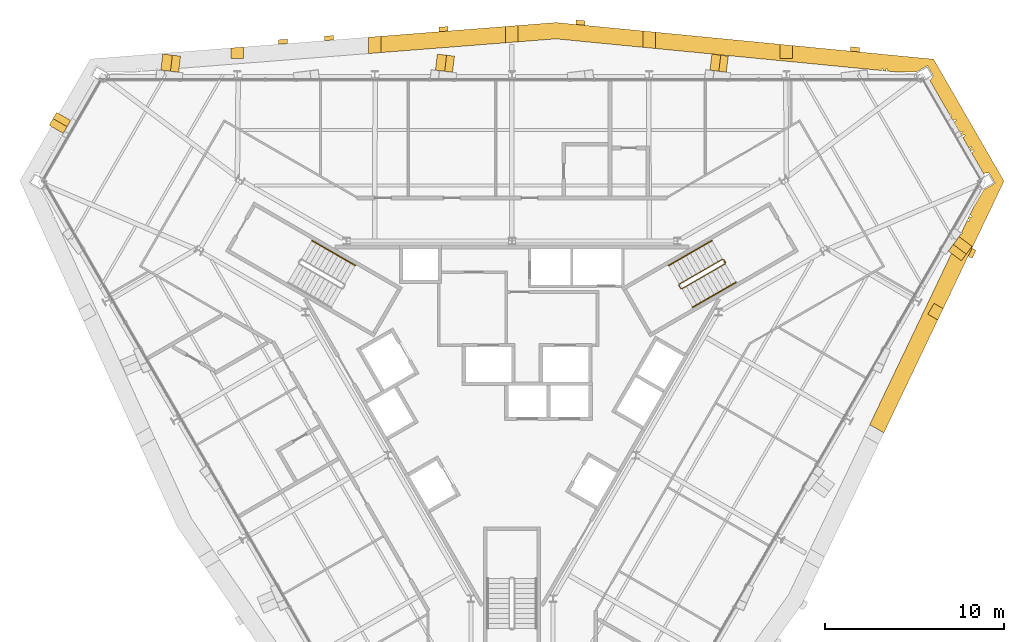
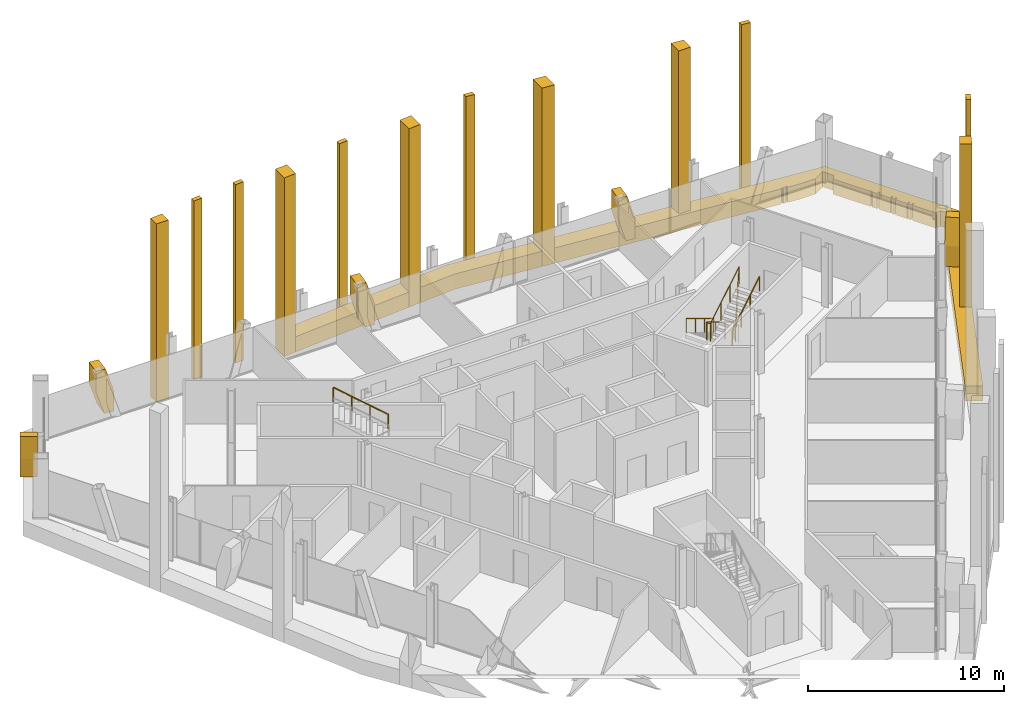
# One storey, part 13 of 13: 20 coverings, 4 railings.
"""IFC4 building model written with IfcOpenShell, lengths in metres."""

from ifc_helpers import new_model, si_unit, direction, frame, origin, origin_2d, place, context, subcontext, project, spatial, polyline, circle, outline, extrude, material, layer, layer_set, type_object, element, save


model = new_model("IFC4")

# Units and contexts
model_context = context("Model", 3, precision=1e-05, world=origin(), true_north=direction((0.0, 1.0)))
body_context = subcontext(model_context, "Body", "Model", "MODEL_VIEW")
ifc_project = project(units=[si_unit("LENGTHUNIT", "METRE"), si_unit("AREAUNIT", "SQUARE_METRE"), si_unit("VOLUMEUNIT", "CUBIC_METRE"), si_unit("PLANEANGLEUNIT", "RADIAN"), si_unit("MASSUNIT", "GRAM", prefix="KILO")], contexts=[model_context])

# Site, building, storey
site_placement = place(None, origin())
site = spatial("IfcSite", under=ifc_project, at=site_placement, CompositionType="ELEMENT")
building_placement = place(site_placement, origin())
building = spatial("IfcBuilding", under=site, at=building_placement, Name="Verrane Prism Tower", CompositionType="ELEMENT")
storey_placement = place(building_placement, frame((0.0, 0.0, 159.89990234375)))
storey = spatial("IfcBuildingStorey", under=building, at=storey_placement, Name="L39", CompositionType="ELEMENT", Elevation=159.89990234375)

# Railings
ifc_material_1 = material(Name="Steel A36 rail and posts, no infill", Category="steel")
railing_type_1 = type_object("IfcRailingType", Name="Stair guard 1100 steel rail and posts", PredefinedType="GUARDRAIL", material=ifc_material_1)
railing_1_placement = place(storey_placement, frame((11.78955078125, 6.97998046875, 0.168212890625)))
element("IfcRailing", 1, at=railing_1_placement, inside=storey, type_object=railing_type_1, Name="Stair 1 guard", PredefinedType="GUARDRAIL", context=body_context, shape_type="SweptSolid", body=[
    extrude(circle(Radius=0.02392578125, at=origin_2d()), frame((0.0, 0.0, 1.076171875), z_axis=(-0.742366697286, -0.42866220388, 0.514917859203), x_axis=(0.500049511043, -0.865996816683, 0.0)), (0.0, 0.0, 1.0), 3.266357421875),
    extrude(circle(Radius=0.02392578125, at=origin_2d()), frame((-2.4248046875, -1.400146484375, 2.7578125), z_axis=(-0.259601060869, -0.965715946433, 0.0), x_axis=(0.965715946433, -0.259601060869, 0.0)), (0.0, 0.0, 1.0), 0.070556640625),
    extrude(circle(Radius=0.02392578125, at=origin_2d()), frame((-2.443115234375, -1.46826171875, 2.7578125), z_axis=(0.499158860599, -0.866510491504, 0.0), x_axis=(0.866510491504, 0.499158860599, 0.0)), (0.0, 0.0, 1.0), 0.199951171875),
    extrude(circle(Radius=0.02392578125, at=origin_2d()), frame((-2.34326171875, -1.6416015625, 2.7578125), z_axis=(0.374585375571, -0.100335368456, 0.921747584887), x_axis=(0.258736085224, 0.965948051503, 0.0)), (0.0, 0.0, 1.0), 0.182373046875),
    extrude(circle(Radius=0.02392578125, at=origin_2d()), frame((-2.27490234375, -1.659912109375, 2.92626953125), z_axis=(0.742366697286, 0.42866220388, 0.514917859203), x_axis=(-0.500049511043, 0.865996816683, 0.0)), (0.0, 0.0, 1.0), 3.266357421875),
    extrude(circle(Radius=0.02392578125, at=origin_2d()), frame((0.14990234375, -0.259765625, 4.60791015625), z_axis=(-0.021985391189, 0.065100454749, -0.997636493602), x_axis=(-0.947430582667, -0.3199613899, 0.0)), (0.0, 0.0, 1.0), 3.708984375),
    extrude(circle(Radius=0.02392578125, at=origin_2d()), frame((0.068359375, -0.018310546875, 0.90771484375), z_axis=(0.499158860599, -0.866510491504, 0.0), x_axis=(0.866510491504, 0.499158860599, 0.0)), (0.0, 0.0, 1.0), 0.199951171875),
    extrude(circle(Radius=0.02099609375, at=origin_2d()), origin(), (0.0, 0.0, 1.0), 1.052001953125),
    extrude(circle(Radius=0.02099609375, at=origin_2d()), frame((-0.808349609375, -0.466796875, 0.560546875)), (0.0, 0.0, 1.0), 1.052001953125),
    extrude(circle(Radius=0.02099609375, at=origin_2d()), frame((-1.616455078125, -0.933349609375, 1.121337890625)), (0.0, 0.0, 1.0), 1.052001953125),
    extrude(circle(Radius=0.02099609375, at=origin_2d()), frame((-2.4248046875, -1.400146484375, 1.681884765625)), (0.0, 0.0, 1.0), 1.052001953125),
    extrude(circle(Radius=0.02099609375, at=origin_2d()), frame((-2.443115234375, -1.46826171875, 1.681884765625)), (0.0, 0.0, 1.0), 1.052001953125),
    extrude(circle(Radius=0.02099609375, at=origin_2d()), frame((-2.34326171875, -1.6416015625, 1.681884765625)), (0.0, 0.0, 1.0), 1.052001953125),
    extrude(circle(Radius=0.02099609375, at=origin_2d()), frame((-2.27490234375, -1.659912109375, 1.85009765625)), (0.0, 0.0, 1.0), 1.052001953125),
    extrude(circle(Radius=0.02099609375, at=origin_2d()), frame((-1.466552734375, -1.193115234375, 2.41064453125)), (0.0, 0.0, 1.0), 1.052001953125),
    extrude(circle(Radius=0.02099609375, at=origin_2d()), frame((-0.658447265625, -0.7265625, 2.971435546875)), (0.0, 0.0, 1.0), 1.052001953125),
    extrude(circle(Radius=0.02099609375, at=origin_2d()), frame((0.14990234375, -0.259765625, 3.531982421875)), (0.0, 0.0, 1.0), 1.052001953125),
    extrude(circle(Radius=0.02099609375, at=origin_2d()), frame((0.12939453125, -0.199462890625, 2.60693359375)), (0.0, 0.0, 1.0), 1.052001953125),
    extrude(circle(Radius=0.02099609375, at=origin_2d()), frame((0.109130859375, -0.13916015625, 1.681884765625)), (0.0, 0.0, 1.0), 1.052001953125),
    extrude(circle(Radius=0.02099609375, at=origin_2d()), frame((0.0888671875, -0.07861328125, 0.7568359375)), (0.0, 0.0, 1.0), 1.052001953125),
    extrude(circle(Radius=0.02099609375, at=origin_2d()), frame((0.068359375, -0.018310546875, -0.168212890625)), (0.0, 0.0, 1.0), 1.052001953125),
    extrude(circle(Radius=0.02099609375, at=origin_2d()), frame((0.168212890625, -0.191650390625, -0.168212890625)), (0.0, 0.0, 1.0), 1.052001953125),
])
ifc_material_2 = material(Name="Steel A36 tube", Category="steel")
railing_type_2 = type_object("IfcRailingType", Name="Stair handrail 900 steel tube", PredefinedType="HANDRAIL", material=ifc_material_2)
railing_2_placement = place(storey_placement, frame((11.189453125, 8.01904296875, 0.168212890625)))
element("IfcRailing", 2, at=railing_2_placement, inside=storey, type_object=railing_type_2, Name="Stair 1 handrail", PredefinedType="HANDRAIL", context=body_context, shape_type="SweptSolid", body=[
    extrude(circle(Radius=0.02392578125, at=origin_2d()), frame((0.0, 0.0, 0.8759765625), z_axis=(-0.742390482028, -0.42860119049, 0.514934356695), x_axis=(0.49998411664, -0.866034573852, 0.0)), (0.0, 0.0, 1.0), 3.26611328125),
    extrude(circle(Radius=0.02099609375, at=origin_2d()), origin(), (0.0, 0.0, 1.0), 0.851806640625),
    extrude(circle(Radius=0.02099609375, at=origin_2d()), frame((-0.808349609375, -0.466552734375, 0.560546875)), (0.0, 0.0, 1.0), 0.851806640625),
    extrude(circle(Radius=0.02099609375, at=origin_2d()), frame((-1.616455078125, -0.933349609375, 1.121337890625)), (0.0, 0.0, 1.0), 0.851806640625),
    extrude(circle(Radius=0.02099609375, at=origin_2d()), frame((-2.4248046875, -1.39990234375, 1.681884765625)), (0.0, 0.0, 1.0), 0.851806640625),
])
railing_3_placement = place(storey_placement, frame((10.11474609375, 4.28076171875, 2.018310546875)))
element("IfcRailing", 3, at=railing_3_placement, inside=storey, type_object=railing_type_2, Name="Stair 1 handrail", PredefinedType="HANDRAIL", context=body_context, shape_type="SweptSolid", body=[
    extrude(circle(Radius=0.02392578125, at=origin_2d()), frame((0.0, 0.0, 0.8759765625), z_axis=(0.742366697286, 0.42866220388, 0.514917859203), x_axis=(-0.500049511043, 0.865996816683, 0.0)), (0.0, 0.0, 1.0), 3.266357421875),
    extrude(circle(Radius=0.02099609375, at=origin_2d()), origin(), (0.0, 0.0, 1.0), 0.851806640625),
    extrude(circle(Radius=0.02099609375, at=origin_2d()), frame((0.808349609375, 0.466796875, 0.560546875)), (0.0, 0.0, 1.0), 0.851806640625),
    extrude(circle(Radius=0.02099609375, at=origin_2d()), frame((1.616455078125, 0.933349609375, 1.121337890625)), (0.0, 0.0, 1.0), 0.851806640625),
    extrude(circle(Radius=0.02099609375, at=origin_2d()), frame((2.4248046875, 1.400146484375, 1.681884765625)), (0.0, 0.0, 1.0), 0.851806640625),
])
railing_4_placement = place(storey_placement, frame((-8.7646484375, 6.619140625, 2.018310546875)))
element("IfcRailing", 4, at=railing_4_placement, inside=storey, type_object=railing_type_2, Name="Stair 2 handrail", PredefinedType="HANDRAIL", context=body_context, shape_type="SweptSolid", body=[
    extrude(circle(Radius=0.02392578125, at=origin_2d()), frame((0.0, 0.0, 0.8759765625), z_axis=(-0.742390482028, 0.42860119049, 0.514934356695), x_axis=(-0.49998411664, -0.866034573852, 0.0)), (0.0, 0.0, 1.0), 3.26611328125),
    extrude(circle(Radius=0.02099609375, at=origin_2d()), origin(), (0.0, 0.0, 1.0), 0.851806640625),
    extrude(circle(Radius=0.02099609375, at=origin_2d()), frame((-0.808349609375, 0.466552734375, 0.560546875)), (0.0, 0.0, 1.0), 0.851806640625),
    extrude(circle(Radius=0.02099609375, at=origin_2d()), frame((-1.616455078125, 0.933349609375, 1.121337890625)), (0.0, 0.0, 1.0), 0.851806640625),
    extrude(circle(Radius=0.02099609375, at=origin_2d()), frame((-2.4248046875, 1.39990234375, 1.681884765625)), (0.0, 0.0, 1.0), 0.851806640625),
])

# Coverings
ifc_material_3 = material(Name="Warm limestone cladding", Category="masonry")
ifc_layer_1 = layer(ifc_material_3, 0.89990234375)
ifc_layer_set_1 = layer_set([ifc_layer_1], Name="Stone brace fin 900")
covering_type_1 = type_object("IfcCoveringType", Name="Stone brace fin 900", PredefinedType="CLADDING", material=ifc_layer_set_1)
covering_1_placement = place(storey_placement, frame((12.054931640625, 17.89306640625, 0.0), z_axis=(0.0, 0.0, 1.0), x_axis=(-0.992196556367, 0.124683573635, 0.0)))
element("IfcCovering", 5, at=covering_1_placement, inside=storey, type_object=covering_type_1, Name="Stone brace fin N2 L39", PredefinedType="CLADDING", context=body_context, shape_type="SweptSolid", body=[
    extrude(outline(polyline([(0.92626953125, 2.75), (0.425048828125, 2.75), (0.0, 1.283447265625), (0.0, 0.0), (0.49755859375, 0.0), (0.92626953125, 1.4794921875), (0.92626953125, 2.75)])), frame((0.0, 0.449951171875, 0.0), z_axis=(0.0, -1.0, 0.0), x_axis=(1.0, 0.0, 0.0)), (0.0, 0.0, 1.0), 0.89990234375),
])
covering_2_placement = place(storey_placement, frame((-3.273193359375, 17.8935546875, 0.0), z_axis=(0.0, 0.0, 1.0), x_axis=(-0.992810688376, 0.119695183886, 0.0)))
element("IfcCovering", 6, at=covering_2_placement, inside=storey, type_object=covering_type_1, Name="Stone brace fin N4 L39", PredefinedType="CLADDING", context=body_context, shape_type="SweptSolid", body=[
    extrude(outline(polyline([(0.962646484375, 2.75), (0.441650390625, 2.75), (0.0, 1.283447265625), (0.0, 0.0), (0.51708984375, 0.0), (0.962646484375, 1.4794921875), (0.962646484375, 2.75)])), frame((0.0, 0.449951171875, 0.0), z_axis=(0.0, -1.0, 0.0), x_axis=(1.0, 0.0, 0.0)), (0.0, 0.0, 1.0), 0.89990234375),
])
covering_3_placement = place(storey_placement, frame((-18.604248046875, 17.893798828125, 0.0), z_axis=(0.0, 0.0, 1.0), x_axis=(-0.993330773546, 0.115299498377, 0.0)))
element("IfcCovering", 7, at=covering_3_placement, inside=storey, type_object=covering_type_1, Name="Stone brace fin N6 L39", PredefinedType="CLADDING", context=body_context, shape_type="SweptSolid", body=[
    extrude(outline(polyline([(1.00146484375, 2.75), (0.459716796875, 2.75), (0.0, 1.283447265625), (0.0, 0.0), (0.537841796875, 0.0), (1.00146484375, 1.4794921875), (1.00146484375, 2.75)])), frame((0.0, 0.449951171875, 0.0), z_axis=(0.0, -1.0, 0.0), x_axis=(1.0, 0.0, 0.0)), (0.0, 0.0, 1.0), 0.89990234375),
])
covering_4_placement = place(storey_placement, frame((24.793701171875, 7.1591796875, 0.0), z_axis=(0.0, 0.0, 1.0), x_axis=(0.596324001338, 0.802743847954, 0.0)))
element("IfcCovering", 8, at=covering_4_placement, inside=storey, type_object=covering_type_1, Name="Stone brace fin SE6 L39", PredefinedType="CLADDING", context=body_context, shape_type="SweptSolid", body=[
    extrude(outline(polyline([(1.00048828125, 2.75), (0.458984375, 2.75), (0.0, 1.283447265625), (0.0, 0.0), (0.537353515625, 0.0), (1.00048828125, 1.4794921875), (1.00048828125, 2.75)])), frame((0.0, 0.449951171875, 0.0), z_axis=(0.0, -1.0, 0.0), x_axis=(1.0, 0.0, 0.0)), (0.0, 0.0, 1.0), 0.89990234375),
])
covering_5_placement = place(storey_placement, frame((-25.094482421875, 14.96630859375, 0.0), z_axis=(0.0, 0.0, 1.0), x_axis=(-0.499011179969, -0.866595547107, 0.0)))
element("IfcCovering", 9, at=covering_5_placement, inside=storey, type_object=covering_type_1, Name="Stone brace fin NW1 L39", PredefinedType="CLADDING", context=body_context, shape_type="SweptSolid", body=[
    extrude(outline(polyline([(0.832275390625, 2.75), (0.399658203125, 2.75), (0.0, 1.257568359375), (0.0, 0.0), (0.466552734375, 0.0), (0.832275390625, 1.36572265625), (0.832275390625, 2.75)])), frame((0.0, 0.449951171875, 0.0), z_axis=(0.0, -1.0, 0.0), x_axis=(1.0, 0.0, 0.0)), (0.0, 0.0, 1.0), 0.89990234375),
])
ifc_material_4 = material(Name="Warm limestone cladding", Category="masonry")
covering_type_2 = type_object("IfcCoveringType", Name="Stone mullion pier 500", PredefinedType="CLADDING", material=ifc_material_4)
covering_6_placement = place(storey_placement, frame((0.0, 0.0, -0.949951171875)))
element("IfcCovering", 10, at=covering_6_placement, inside=storey, type_object=covering_type_2, Name="Stone pier SM-N0.1 L39-L41", PredefinedType="CLADDING", context=body_context, shape_type="SweptSolid", body=[
    extrude(outline(polyline([(18.95654296875, 18.62158203125), (19.45654296875, 18.572998046875), (19.45654296875, 18.82421875), (18.95654296875, 18.872802734375), (18.95654296875, 18.62158203125)])), origin(), (0.0, 0.0, 1.0), 11.10009765625),
])
covering_7_placement = place(storey_placement, frame((0.0, 0.0, -0.949951171875)))
element("IfcCovering", 11, at=covering_7_placement, inside=storey, type_object=covering_type_2, Name="Stone pier SM-N2.1 L39-L41", PredefinedType="CLADDING", context=body_context, shape_type="SweptSolid", body=[
    extrude(outline(polyline([(3.59130859375, 20.114013671875), (4.09130859375, 20.0654296875), (4.09130859375, 20.316650390625), (3.59130859375, 20.365234375), (3.59130859375, 20.114013671875)])), origin(), (0.0, 0.0, 1.0), 11.10009765625),
])
covering_8_placement = place(storey_placement, frame((0.0, 0.0, -0.949951171875)))
element("IfcCovering", 12, at=covering_8_placement, inside=storey, type_object=covering_type_2, Name="Stone pier SM-N3.1 L39-L41", PredefinedType="CLADDING", context=body_context, shape_type="SweptSolid", body=[
    extrude(outline(polyline([(-4.09130859375, 19.708984375), (-3.59130859375, 19.748291015625), (-3.59130859375, 19.9990234375), (-4.09130859375, 19.959716796875), (-4.09130859375, 19.708984375)])), origin(), (0.0, 0.0, 1.0), 11.10009765625),
])
covering_9_placement = place(storey_placement, frame((0.0, 0.0, -0.949951171875)))
element("IfcCovering", 13, at=covering_9_placement, inside=storey, type_object=covering_type_2, Name="Stone pier SM-N4.1 L39-L41", PredefinedType="CLADDING", context=body_context, shape_type="SweptSolid", body=[
    extrude(outline(polyline([(-10.493408203125, 19.20703125), (-9.993408203125, 19.24609375), (-9.993408203125, 19.4970703125), (-10.493408203125, 19.457763671875), (-10.493408203125, 19.20703125)])), origin(), (0.0, 0.0, 1.0), 11.10009765625),
])
covering_10_placement = place(storey_placement, frame((0.0, 0.0, -0.949951171875)))
element("IfcCovering", 14, at=covering_10_placement, inside=storey, type_object=covering_type_2, Name="Stone pier SM-N4.2 L39-L41", PredefinedType="CLADDING", context=body_context, shape_type="SweptSolid", body=[
    extrude(outline(polyline([(-13.05419921875, 19.006103515625), (-12.55419921875, 19.04541015625), (-12.55419921875, 19.296142578125), (-13.05419921875, 19.257080078125), (-13.05419921875, 19.006103515625)])), origin(), (0.0, 0.0, 1.0), 11.10009765625),
])
covering_11_placement = place(storey_placement, frame((0.0, 0.0, -0.949951171875)))
element("IfcCovering", 15, at=covering_11_placement, inside=storey, type_object=covering_type_2, Name="Stone pier SM-SE5.1 L39-L41", PredefinedType="CLADDING", context=body_context, shape_type="SweptSolid", body=[
    extrude(outline(polyline([(25.75341796875, 7.59765625), (25.537353515625, 7.14501953125), (25.75439453125, 7.019775390625), (25.970458984375, 7.472412109375), (25.75341796875, 7.59765625)])), origin(), (0.0, 0.0, 1.0), 11.10009765625),
])
ifc_material_5 = material(Name="Warm limestone cladding", Category="masonry")
covering_type_3 = type_object("IfcCoveringType", Name="Stone pier 700", PredefinedType="CLADDING", material=ifc_material_5)
covering_12_placement = place(storey_placement, frame((0.0, 0.0, -0.949951171875)))
element("IfcCovering", 16, at=covering_12_placement, inside=storey, type_object=covering_type_3, Name="Stone pier PC-N1 L39-L41", PredefinedType="CLADDING", context=body_context, shape_type="SweptSolid", body=[
    extrude(outline(polyline([(15.01513671875, 18.2119140625), (15.715087890625, 18.2119140625), (15.715087890625, 18.936279296875), (15.01513671875, 19.00439453125), (15.01513671875, 18.2119140625)])), origin(), (0.0, 0.0, 1.0), 11.10009765625),
])
covering_13_placement = place(storey_placement, frame((0.0, 0.0, -0.949951171875)))
element("IfcCovering", 17, at=covering_13_placement, inside=storey, type_object=covering_type_3, Name="Stone pier PC-N2 L39-L41", PredefinedType="CLADDING", context=body_context, shape_type="SweptSolid", body=[
    extrude(outline(polyline([(7.33251953125, 19.75048828125), (7.33251953125, 18.83642578125), (8.03271484375, 18.7685546875), (8.03271484375, 19.6826171875), (7.33251953125, 19.75048828125)])), origin(), (0.0, 0.0, 1.0), 11.10009765625),
])
covering_14_placement = place(storey_placement, frame((0.0, 0.0, -0.949951171875)))
element("IfcCovering", 18, at=covering_14_placement, inside=storey, type_object=covering_type_3, Name="Stone pier PC-N3 L39-L41", PredefinedType="CLADDING", context=body_context, shape_type="SweptSolid", body=[
    extrude(outline(polyline([(-0.35009765625, 20.00244140625), (-0.35009765625, 19.08984375), (0.35009765625, 19.144775390625), (0.35009765625, 20.057373046875), (-0.35009765625, 20.00244140625)])), origin(), (0.0, 0.0, 1.0), 11.10009765625),
])
covering_15_placement = place(storey_placement, frame((0.0, 0.0, -0.949951171875)))
element("IfcCovering", 19, at=covering_15_placement, inside=storey, type_object=covering_type_3, Name="Stone pier PC-N4 L39-L41", PredefinedType="CLADDING", context=body_context, shape_type="SweptSolid", body=[
    extrude(outline(polyline([(-8.03271484375, 19.39990234375), (-8.03271484375, 18.4873046875), (-7.33251953125, 18.542236328125), (-7.33251953125, 19.454833984375), (-8.03271484375, 19.39990234375)])), origin(), (0.0, 0.0, 1.0), 11.10009765625),
])
covering_16_placement = place(storey_placement, frame((0.0, 0.0, -0.949951171875)))
element("IfcCovering", 20, at=covering_16_placement, inside=storey, type_object=covering_type_3, Name="Stone pier PC-N5 L39-L41", PredefinedType="CLADDING", context=body_context, shape_type="SweptSolid", body=[
    extrude(outline(polyline([(-15.715087890625, 18.2119140625), (-15.01513671875, 18.2119140625), (-15.01513671875, 18.852294921875), (-15.715087890625, 18.797607421875), (-15.715087890625, 18.2119140625)])), origin(), (0.0, 0.0, 1.0), 11.10009765625),
])
covering_17_placement = place(storey_placement, frame((0.0, 0.0, -0.949951171875)))
element("IfcCovering", 21, at=covering_17_placement, inside=storey, type_object=covering_type_3, Name="Stone pier PC-SE5 L39-L41", PredefinedType="CLADDING", context=body_context, shape_type="SweptSolid", body=[
    extrude(outline(polyline([(23.63037109375, 4.50341796875), (23.280517578125, 3.897216796875), (23.834228515625, 3.577392578125), (24.13671875, 4.2109375), (23.63037109375, 4.50341796875)])), origin(), (0.0, 0.0, 1.0), 11.10009765625),
])
ifc_material_6 = material(Name="Warm limestone cladding", Category="masonry")
ifc_layer_2 = layer(ifc_material_6, 0.449951171875)
ifc_layer_set_2 = layer_set([ifc_layer_2], Name="Stone spandrel band 450")
covering_type_4 = type_object("IfcCoveringType", Name="Stone spandrel band 450", PredefinedType="CLADDING", material=ifc_layer_set_2)
covering_18_placement = place(storey_placement, frame((0.0, 0.0, -0.949951171875)))
element("IfcCovering", 22, at=covering_18_placement, inside=storey, type_object=covering_type_4, Name="Stone spandrel band L39 part 2", PredefinedType="CLADDING", context=body_context, shape_type="SweptSolid", body=[
    extrude(outline(polyline([(8.03271484375, 19.6826171875), (8.03271484375, 18.7685546875), (20.683349609375, 17.539794921875), (20.683349609375, 17.610107421875), (20.781005859375, 17.610107421875), (20.781005859375, 17.5302734375), (20.930419921875, 17.515625), (20.930419921875, 17.610107421875), (21.0244140625, 17.610107421875), (21.0244140625, 17.506591796875), (21.675048828125, 17.443359375), (22.62109375, 17.443359375), (23.25732421875, 17.810791015625), (23.58740234375, 17.2392578125), (23.568359375, 17.228271484375), (23.45751953125, 17.0390625), (23.383056640625, 16.99609375), (24.499755859375, 15.061767578125), (24.50927734375, 15.098388671875), (24.5751953125, 15.081298828125), (24.54833984375, 14.9775390625), (24.689697265625, 14.733154296875), (24.83251953125, 14.815185546875), (24.878173828125, 14.73583984375), (24.7353515625, 14.653564453125), (25.076904296875, 14.0625), (25.21875, 14.14404296875), (25.24755859375, 14.093994140625), (25.105712890625, 14.012451171875), (25.184814453125, 13.875), (25.32666015625, 13.956787109375), (25.37255859375, 13.877197265625), (25.230712890625, 13.795654296875), (25.572265625, 13.204345703125), (25.713134765625, 13.285400390625), (25.741943359375, 13.235595703125), (25.60107421875, 13.154296875), (25.680419921875, 13.01708984375), (25.821044921875, 13.09814453125), (25.86669921875, 13.018798828125), (25.72607421875, 12.937744140625), (26.412109375, 11.74951171875), (26.482177734375, 11.789794921875), (26.698486328125, 11.789794921875), (26.71728515625, 11.80078125), (27.04736328125, 11.229248046875), (26.413818359375, 10.86328125), (25.780029296875, 9.765380859375), (25.63671875, 9.46533203125), (25.7568359375, 9.39599609375), (25.7099609375, 9.314697265625), (25.59619140625, 9.38037109375), (25.531494140625, 9.2451171875), (25.63525390625, 9.185302734375), (25.58642578125, 9.1005859375), (25.489501953125, 9.15673828125), (25.16259765625, 8.472412109375), (25.208251953125, 8.446044921875), (25.161376953125, 8.36474609375), (25.1220703125, 8.38720703125), (25.04248046875, 8.220703125), (25.06591796875, 8.203369140625), (25.00439453125, 8.12060546875), (24.997314453125, 8.125732421875), (20.02685546875, -2.287353515625), (20.817138671875, -2.74365234375), (23.834228515625, 3.577392578125), (23.280517578125, 3.897216796875), (23.63037109375, 4.50341796875), (24.13671875, 4.2109375), (27.5419921875, 11.34521484375), (23.601806640625, 18.17041015625), (15.715087890625, 18.936279296875), (15.715087890625, 18.2119140625), (15.01513671875, 18.2119140625), (15.01513671875, 19.00439453125), (8.03271484375, 19.6826171875)])), origin(), (0.0, 0.0, 1.0), 0.949951171875),
])
covering_19_placement = place(storey_placement, frame((0.0, 0.0, -0.949951171875)))
element("IfcCovering", 23, at=covering_19_placement, inside=storey, type_object=covering_type_4, Name="Stone spandrel band L39 part 8", PredefinedType="CLADDING", context=body_context, shape_type="SweptSolid", body=[
    extrude(outline(polyline([(0.35009765625, 20.057373046875), (0.35009765625, 19.144775390625), (2.45849609375, 19.31005859375), (7.33251953125, 18.83642578125), (7.33251953125, 19.75048828125), (2.466796875, 20.223388671875), (0.35009765625, 20.057373046875)])), origin(), (0.0, 0.0, 1.0), 0.949951171875),
])
covering_20_placement = place(storey_placement, frame((0.0, 0.0, -0.949951171875)))
element("IfcCovering", 24, at=covering_20_placement, inside=storey, type_object=covering_type_4, Name="Stone spandrel band L39 part 9", PredefinedType="CLADDING", context=body_context, shape_type="SweptSolid", body=[
    extrude(outline(polyline([(-7.33251953125, 18.542236328125), (-0.35009765625, 19.08984375), (-0.35009765625, 20.00244140625), (-7.33251953125, 19.454833984375), (-7.33251953125, 18.542236328125)])), origin(), (0.0, 0.0, 1.0), 0.949951171875),
])

save(model, "model.ifc")
